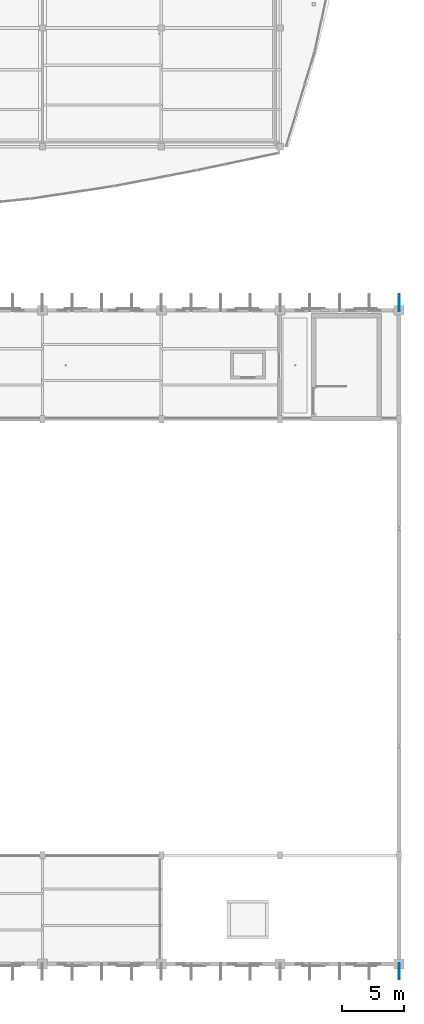
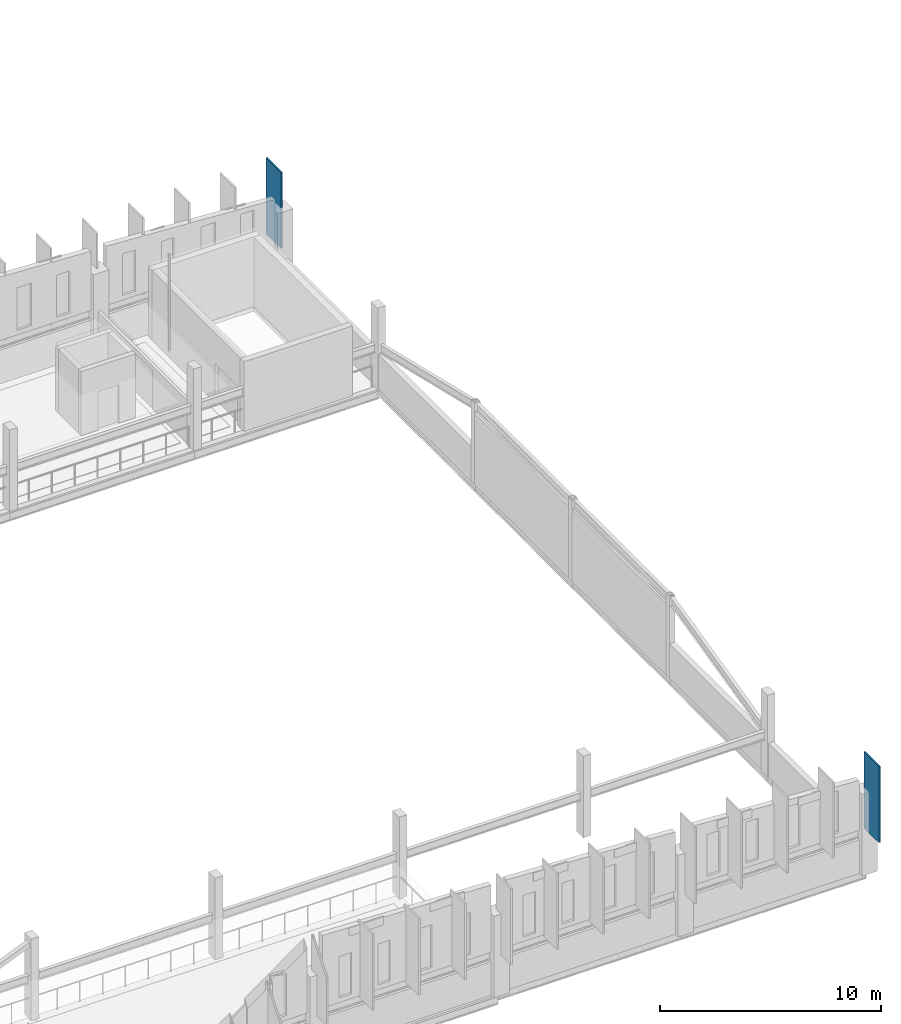
# One storey, part 88 of 114: 2 plates.
"""IFC4 building model written with IfcOpenShell, lengths in metres."""

from ifc_helpers import new_model, si_unit, direction, frame, origin, origin_2d, place, context, subcontext, project, spatial, rectangle, extrude, material, layer, layer_set, type_object, element, save


model = new_model("IFC4")

# Units and contexts
model_context = context("Model", 3, precision=1e-05, world=origin(), true_north=direction((0.0, 1.0)))
body_context = subcontext(model_context, "Body", "Model", "MODEL_VIEW")
ifc_project = project(units=[si_unit("LENGTHUNIT", "METRE"), si_unit("AREAUNIT", "SQUARE_METRE"), si_unit("VOLUMEUNIT", "CUBIC_METRE"), si_unit("PLANEANGLEUNIT", "RADIAN"), si_unit("MASSUNIT", "GRAM", prefix="KILO")], contexts=[model_context])

# Site, building, storey
site_placement = place(None, origin())
site = spatial("IfcSite", under=ifc_project, at=site_placement, CompositionType="ELEMENT")
building_placement = place(site_placement, origin())
building = spatial("IfcBuilding", under=site, at=building_placement, Name="Chalmorin Arch Market", CompositionType="ELEMENT")
storey_placement = place(building_placement, frame((0.0, 0.0, 9.60009765625)))
storey = spatial("IfcBuildingStorey", under=building, at=storey_placement, Name="L02", CompositionType="ELEMENT", Elevation=9.60009765625)

# Plates
ifc_material = material(Name="Aluminium 6063-T6", Category="aluminium")
ifc_layer = layer(ifc_material, 0.080078125)
ifc_layer_set = layer_set([ifc_layer], Name="Aluminium 6063-T6")
plate_type = type_object("IfcPlateType", Name="ParametricWaveFinPlate-850x60x4200", PredefinedType="SHEET", material=ifc_layer_set)
for number, where, z_axis, x_axis, name in (
    (1, (124.800048828125, 5.385009765625, 2.25), (0.0, 0.0, 1.0), (0.0, 1.0, 0.0), "PWF-01-159"),
    (2, (124.800048828125, 59.4150390625, 2.25), (0.0, 0.0, 1.0), (0.0, 1.0, 0.0), "PWF-01-160"),
):
    element("IfcPlate", number, at=place(storey_placement, frame(where, z_axis=z_axis, x_axis=x_axis)), inside=storey, type_object=plate_type, Name=name, PredefinedType="SHEET", context=body_context, shape_type="SweptSolid", body=[
        extrude(rectangle(XDim=1.35009765625, YDim=0.080078125, at=origin_2d()), origin(), (0.0, 0.0, 1.0), 4.199951171875),
    ])

save(model, "model.ifc")
